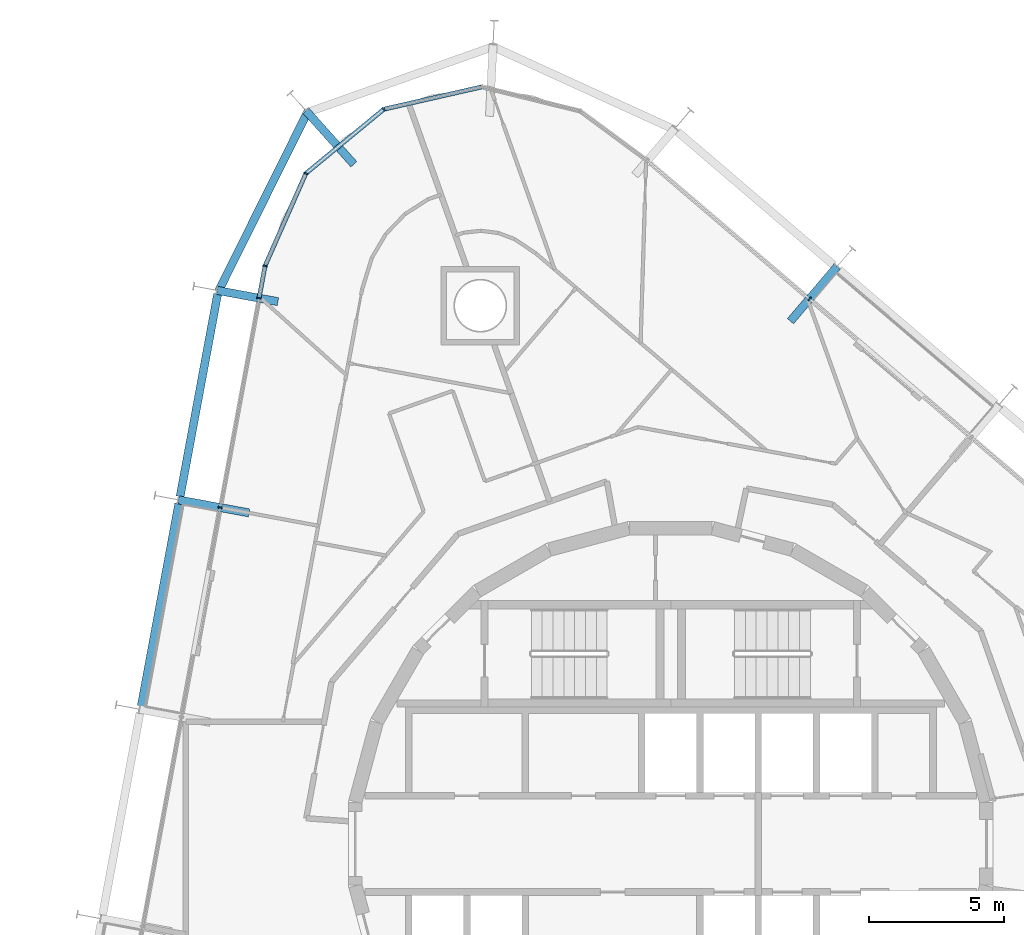
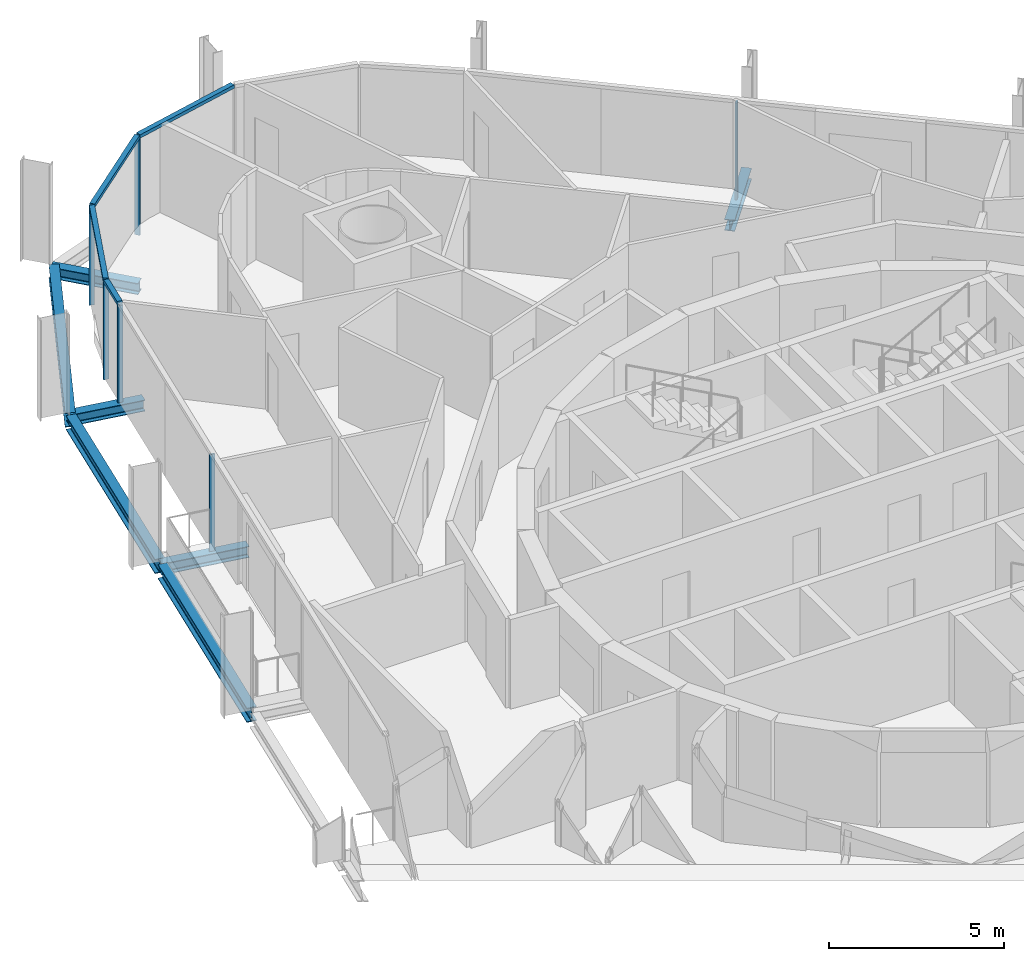
# One storey, part 6 of 17: 10 members, 7 beams, 3 elements without a shape of their own.
"""IFC4 building model written with IfcOpenShell, lengths in metres."""

from ifc_helpers import new_model, si_unit, direction, frame, origin, origin_2d, place, context, subcontext, project, spatial, rectangle, i_section, extrude, material, layer, layer_set, material_profile, profile_set, type_object, element, aggregate, save


model = new_model("IFC4")

# Units and contexts
model_context = context("Model", 3, precision=1e-05, world=origin(), true_north=direction((0.0, 1.0)))
body_context = subcontext(model_context, "Body", "Model", "MODEL_VIEW")
ifc_project = project(units=[si_unit("LENGTHUNIT", "METRE"), si_unit("AREAUNIT", "SQUARE_METRE"), si_unit("VOLUMEUNIT", "CUBIC_METRE"), si_unit("PLANEANGLEUNIT", "RADIAN"), si_unit("MASSUNIT", "GRAM", prefix="KILO")], contexts=[model_context])

# Site, building, storey
site_placement = place(None, origin())
site = spatial("IfcSite", under=ifc_project, at=site_placement, CompositionType="ELEMENT")
building_placement = place(site_placement, origin())
building = spatial("IfcBuilding", under=site, at=building_placement, Name="Spindle Arch Residences", CompositionType="ELEMENT")
storey_placement = place(building_placement, frame((0.0, 0.0, 169.199951171875)))
storey = spatial("IfcBuildingStorey", under=building, at=storey_placement, Name="L42", CompositionType="ELEMENT", Elevation=169.199951171875)

# Curtain wall, member
ifc_material_1 = material(Name="Aluminium bronze unitised frame with tinted glass", Category="aluminium")
ifc_layer_1 = layer(ifc_material_1, 0.159912109375)
ifc_layer_set_1 = layer_set([ifc_layer_1], Name="CW-C typical residential unitised wall")
curtain_wall_type_1 = type_object("IfcCurtainWallType", Name="CW-C typical residential unitised wall", PredefinedType="NOTDEFINED", material=ifc_layer_set_1)
curtain_wall_1_placement = place(storey_placement, origin())
curtain_wall_1 = element("IfcCurtainWall", 1, at=curtain_wall_1_placement, inside=storey, type_object=curtain_wall_type_1, Name="CW-C L42 run 2", PredefinedType="NOTDEFINED")
ifc_material_2 = material(Name="Aluminium bronze anodised mullion", Category="aluminium")
ifc_material_profile_1 = material_profile(ifc_material_2, rectangle(XDim=0.159912109375, YDim=0.06005859375, at=origin_2d()), Name="MU 60x160")
ifc_profile_set_1 = profile_set([ifc_material_profile_1], Name="Aluminium bronze anodised mullion")
member_type_1 = type_object("IfcMemberType", Name="Bronze mullion 60x160", PredefinedType="MULLION", material=ifc_profile_set_1)
member_1_placement = place(storey_placement, frame((5.115234375, 20.10888671875, -0.3798828125), z_axis=(0.0, 0.0, 1.0), x_axis=(-0.64944804833, -0.7604059656, 0.0)))
member_1 = element("IfcMember", 2, at=member_1_placement, type_object=member_type_1, Name="CW-C mullion 08", PredefinedType="MULLION", context=body_context, shape_type="SweptSolid", body=[
    extrude(rectangle(XDim=0.159912109375, YDim=0.06005859375, at=origin_2d()), origin(), (0.0, 0.0, 1.0), 3.3798828125),
])
aggregate(curtain_wall_1, [member_1])

# Curtain wall, members
ifc_material_3 = material(Name="Aluminium bronze unitised frame with tinted glass", Category="aluminium")
ifc_layer_2 = layer(ifc_material_3, 0.159912109375)
ifc_layer_set_2 = layer_set([ifc_layer_2], Name="CW-D corner wall on the fillet arcs")
curtain_wall_type_2 = type_object("IfcCurtainWallType", Name="CW-D corner wall on the fillet arcs", PredefinedType="NOTDEFINED", material=ifc_layer_set_2)
curtain_wall_2_placement = place(storey_placement, origin())
curtain_wall_2 = element("IfcCurtainWall", 3, at=curtain_wall_2_placement, inside=storey, type_object=curtain_wall_type_2, Name="CW-D L42 run 3", PredefinedType="NOTDEFINED")
member_2_placement = place(storey_placement, frame((-10.594970703125, 27.109619140625, -0.3798828125), z_axis=(0.0, 0.0, 1.0), x_axis=(0.636078220709, -0.771624583032, 0.0)))
member_2 = element("IfcMember", 4, at=member_2_placement, type_object=member_type_1, Name="CW-D mullion 03", PredefinedType="MULLION", context=body_context, shape_type="SweptSolid", body=[
    extrude(rectangle(XDim=0.159912109375, YDim=0.06005859375, at=origin_2d()), origin(), (0.0, 0.0, 1.0), 3.3798828125),
])
member_3_placement = place(storey_placement, frame((-13.470703125, 24.739013671875, -0.3798828125), z_axis=(0.0, 0.0, 1.0), x_axis=(0.914724741271, -0.404077526853, 0.0)))
member_3 = element("IfcMember", 5, at=member_3_placement, type_object=member_type_1, Name="CW-D mullion 04", PredefinedType="MULLION", context=body_context, shape_type="SweptSolid", body=[
    extrude(rectangle(XDim=0.159912109375, YDim=0.06005859375, at=origin_2d()), origin(), (0.0, 0.0, 1.0), 3.3798828125),
])
member_4_placement = place(storey_placement, frame((-14.9765625, 21.330078125, -0.3798828125), z_axis=(0.0, 0.0, 1.0), x_axis=(0.983254907564, -0.182235525492, 0.0)))
member_4 = element("IfcMember", 6, at=member_4_placement, type_object=member_type_1, Name="CW-D mullion 05", PredefinedType="MULLION", context=body_context, shape_type="SweptSolid", body=[
    extrude(rectangle(XDim=0.159912109375, YDim=0.06005859375, at=origin_2d()), origin(), (0.0, 0.0, 1.0), 3.3798828125),
])

curtain_wall_3_placement = place(storey_placement, origin())
curtain_wall_3 = element("IfcCurtainWall", 7, at=curtain_wall_3_placement, inside=storey, type_object=curtain_wall_type_1, Name="CW-C L42 run 4", PredefinedType="NOTDEFINED")
member_5_placement = place(storey_placement, frame((-15.19775390625, 20.136962890625, -0.3798828125), z_axis=(0.0, 0.0, 1.0), x_axis=(0.983254907564, -0.182235525492, 0.0)))
member_5 = element("IfcMember", 8, at=member_5_placement, type_object=member_type_1, Name="CW-C mullion 12", PredefinedType="MULLION", context=body_context, shape_type="SweptSolid", body=[
    extrude(rectangle(XDim=0.159912109375, YDim=0.06005859375, at=origin_2d()), origin(), (0.0, 0.0, 1.0), 3.3798828125),
])
member_6_placement = place(storey_placement, frame((-16.630126953125, 12.408447265625, -0.3798828125), z_axis=(0.0, 0.0, 1.0), x_axis=(0.983254907564, -0.182235525492, 0.0)))
member_6 = element("IfcMember", 9, at=member_6_placement, type_object=member_type_1, Name="CW-C mullion 13", PredefinedType="MULLION", context=body_context, shape_type="SweptSolid", body=[
    extrude(rectangle(XDim=0.159912109375, YDim=0.06005859375, at=origin_2d()), origin(), (0.0, 0.0, 1.0), 3.3798828125),
])
aggregate(curtain_wall_3, [member_5, member_6])

# Member
ifc_material_4 = material(Name="Aluminium bronze anodised transom", Category="aluminium")
ifc_material_profile_2 = material_profile(ifc_material_4, rectangle(XDim=0.159912109375, YDim=0.1201171875, at=origin_2d()), Name="TR 120x160")
ifc_profile_set_2 = profile_set([ifc_material_profile_2], Name="Aluminium bronze anodised transom")
member_type_2 = type_object("IfcMemberType", Name="Bronze transom 120x160", PredefinedType="USERDEFINED", material=ifc_profile_set_2)
member_7_placement = place(storey_placement, frame((-6.99072265625, 27.9306640625, 3.06005859375), z_axis=(-0.975020234813, -0.222116054585, 0.0), x_axis=(0.222116054585, -0.975020234813, 0.0)))
member_7 = element("IfcMember", 10, at=member_7_placement, type_object=member_type_2, Name="CW-D transom 02", ObjectType="TRANSOM", PredefinedType="USERDEFINED", context=body_context, shape_type="SweptSolid", body=[
    extrude(rectangle(XDim=0.159912109375, YDim=0.1201171875, at=origin_2d()), origin(), (0.0, 0.0, 1.0), 3.666748046875),
])

member_8_placement = place(storey_placement, frame((-10.6181640625, 27.09033203125, 3.06005859375), z_axis=(-0.771632242696, -0.63606892868, 0.0), x_axis=(0.63606892868, -0.771632242696, 0.0)))
member_8 = element("IfcMember", 11, at=member_8_placement, type_object=member_type_2, Name="CW-D transom 03", ObjectType="TRANSOM", PredefinedType="USERDEFINED", context=body_context, shape_type="SweptSolid", body=[
    extrude(rectangle(XDim=0.159912109375, YDim=0.1201171875, at=origin_2d()), origin(), (0.0, 0.0, 1.0), 3.666748046875),
])

member_9_placement = place(storey_placement, frame((-13.48291015625, 24.711669921875, 3.06005859375), z_axis=(-0.404067984384, -0.914728956575, 0.0), x_axis=(0.914728956575, -0.404067984384, 0.0)))
member_9 = element("IfcMember", 12, at=member_9_placement, type_object=member_type_2, Name="CW-D transom 04", ObjectType="TRANSOM", PredefinedType="USERDEFINED", context=body_context, shape_type="SweptSolid", body=[
    extrude(rectangle(XDim=0.159912109375, YDim=0.1201171875, at=origin_2d()), origin(), (0.0, 0.0, 1.0), 3.6669921875),
])

member_10_placement = place(storey_placement, frame((-14.982177734375, 21.300537109375, 3.06005859375), z_axis=(-0.182256018308, -0.983251109224, 0.0), x_axis=(0.983251109224, -0.182256018308, 0.0)))
member_10 = element("IfcMember", 13, at=member_10_placement, type_object=member_type_2, Name="CW-D transom 05", ObjectType="TRANSOM", PredefinedType="USERDEFINED", context=body_context, shape_type="SweptSolid", body=[
    extrude(rectangle(XDim=0.159912109375, YDim=0.1201171875, at=origin_2d()), origin(), (0.0, 0.0, 1.0), 1.1533203125),
])

aggregate(curtain_wall_2, [member_7, member_2, member_8, member_3, member_9, member_4, member_10])

# Beams
ifc_material_5 = material(Name="Steel S460ML, intumescent coating R 120", Category="steel")
ifc_material_profile_3 = material_profile(ifc_material_5, i_section(OverallWidth=0.300048828125, OverallDepth=0.5, WebThickness=0.014404296875, FlangeThickness=0.028076171875, FilletRadius=0.027099609375, at=origin_2d()), Name="HEB 500")
ifc_profile_set_3 = profile_set([ifc_material_profile_3], Name="Steel S460ML, intumescent coating R 120")
beam_type_1 = type_object("IfcBeamType", Name="Exoskeleton edge beam HEB 500", PredefinedType="BEAM", material=ifc_profile_set_3)
beam_1_placement = place(storey_placement, frame((-13.39404296875, 27.031005859375, -0.6298828125), z_axis=(-0.445068669434, -0.895496443035, 0.0), x_axis=(0.895496443035, -0.445068669434, 0.0)))
element("IfcBeam", 14, at=beam_1_placement, inside=storey, type_object=beam_type_1, Name="Exoskeleton edge beam 12", PredefinedType="BEAM", context=body_context, shape_type="SweptSolid", body=[
    extrude(i_section(OverallWidth=0.300048828125, OverallDepth=0.5, WebThickness=0.014404296875, FlangeThickness=0.028076171875, FilletRadius=0.027099609375, at=origin_2d()), origin(), (0.0, 0.0, 1.0), 7.42578125),
])
for number, where, z_axis, x_axis, name in (
    (15, (-16.725830078125, 20.2880859375, -0.6298828125), (-0.182234195466, -0.983255154069, 0.0), (0.983255154069, -0.182234195466, 0.0), "Exoskeleton edge beam 13"),
    (16, (-18.158203125, 12.5595703125, -0.6298828125), (-0.182234195466, -0.983255154069, 0.0), (0.983255154069, -0.182234195466, 0.0), "Exoskeleton edge beam 14"),
):
    element("IfcBeam", number, at=place(storey_placement, frame(where, z_axis=z_axis, x_axis=x_axis)), inside=storey, type_object=beam_type_1, Name=name, PredefinedType="BEAM", context=body_context, shape_type="SweptSolid", body=[
        extrude(i_section(OverallWidth=0.300048828125, OverallDepth=0.5, WebThickness=0.014404296875, FlangeThickness=0.028076171875, FilletRadius=0.027099609375, at=origin_2d()), origin(), (0.0, 0.0, 1.0), 7.60009765625),
    ])
ifc_material_6 = material(Name="Steel S460ML, intumescent coating R 120", Category="steel")
ifc_material_profile_4 = material_profile(ifc_material_6, i_section(OverallWidth=0.300048828125, OverallDepth=0.389892578125, WebThickness=0.010986328125, FlangeThickness=0.01904296875, FilletRadius=0.027099609375, at=origin_2d()), Name="HEA 400")
ifc_profile_set_4 = profile_set([ifc_material_profile_4], Name="Steel S460ML, intumescent coating R 120")
beam_type_2 = type_object("IfcBeamType", Name="Floor outrigger HEA 400", PredefinedType="BEAM", material=ifc_profile_set_4)
for number, where, z_axis, x_axis, name in (
    (17, (6.134765625, 21.302734375, -0.574951171875), (-0.64941704551, -0.760432443417, 0.0), (0.760432443417, -0.64941704551, 0.0), "Floor outrigger 9"),
    (18, (-13.46337890625, 27.052001953125, -0.574951171875), (0.666477017118, -0.745525576793, 0.0), (0.745525576793, 0.666477017118, 0.0), "Floor outrigger 12"),
):
    element("IfcBeam", number, at=place(storey_placement, frame(where, z_axis=z_axis, x_axis=x_axis)), inside=storey, type_object=beam_type_2, Name=name, PredefinedType="BEAM", context=body_context, shape_type="SweptSolid", body=[
        extrude(i_section(OverallWidth=0.300048828125, OverallDepth=0.389892578125, WebThickness=0.010986328125, FlangeThickness=0.01904296875, FilletRadius=0.027099609375, at=origin_2d()), origin(), (0.0, 0.0, 1.0), 2.64990234375),
    ])
beam_2_placement = place(storey_placement, frame((-16.741455078125, 20.423095703125, -0.574951171875), z_axis=(0.983259266178, -0.182212006947, 0.0), x_axis=(0.182212006947, 0.983259266178, 0.0)))
element("IfcBeam", 19, at=beam_2_placement, inside=storey, type_object=beam_type_2, Name="Floor outrigger 13", PredefinedType="BEAM", context=body_context, shape_type="SweptSolid", body=[
    extrude(i_section(OverallWidth=0.300048828125, OverallDepth=0.389892578125, WebThickness=0.010986328125, FlangeThickness=0.01904296875, FilletRadius=0.027099609375, at=origin_2d()), origin(), (0.0, 0.0, 1.0), 2.279052734375),
])
beam_3_placement = place(storey_placement, frame((-18.173828125, 12.694580078125, -0.574951171875), z_axis=(0.98325694826, -0.182224514537, 0.0), x_axis=(0.182224514537, 0.98325694826, 0.0)))
element("IfcBeam", 20, at=beam_3_placement, inside=storey, type_object=beam_type_2, Name="Floor outrigger 14", PredefinedType="BEAM", context=body_context, shape_type="SweptSolid", body=[
    extrude(i_section(OverallWidth=0.300048828125, OverallDepth=0.389892578125, WebThickness=0.010986328125, FlangeThickness=0.01904296875, FilletRadius=0.027099609375, at=origin_2d()), origin(), (0.0, 0.0, 1.0), 2.650146484375),
])

save(model, "model.ifc")
